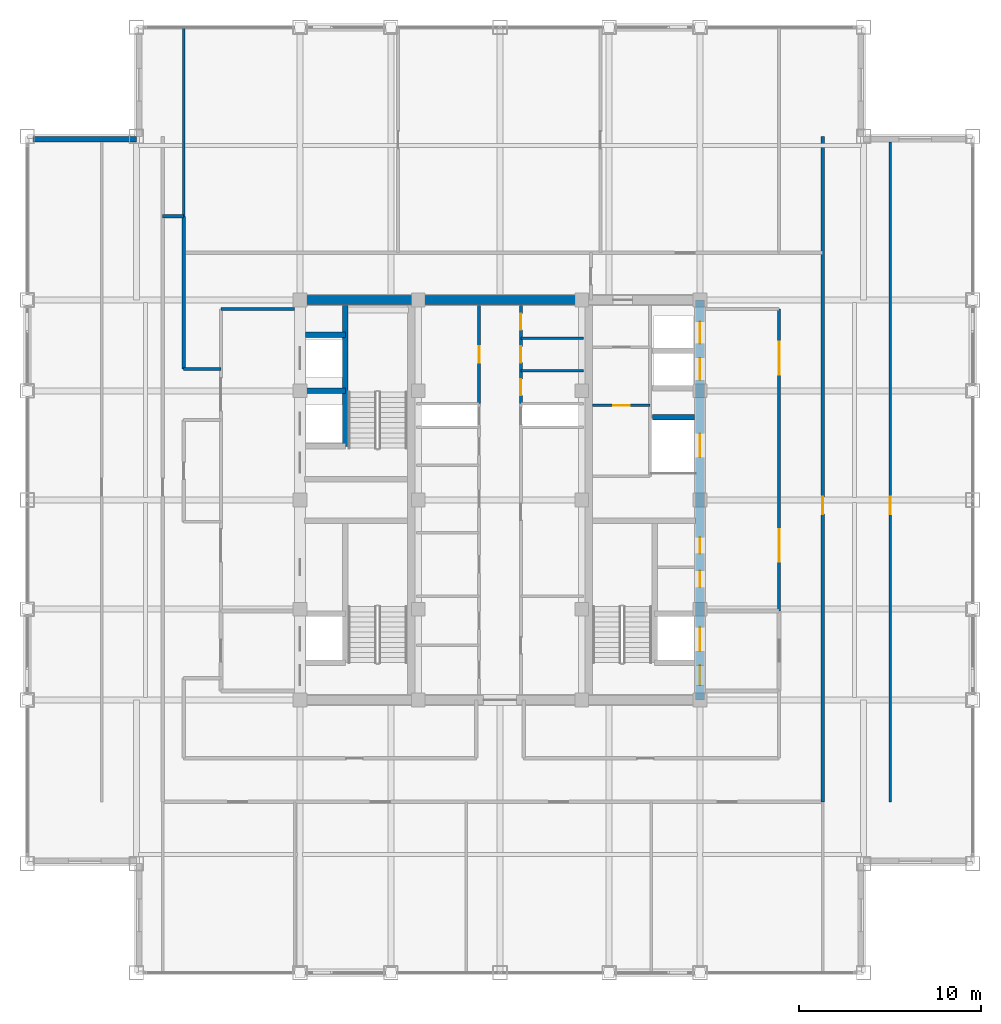
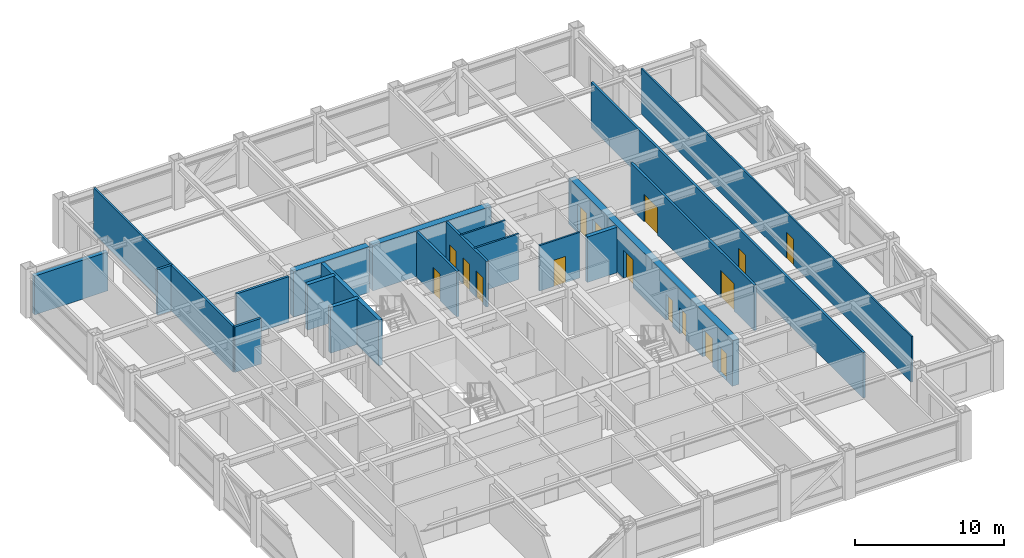
# One storey, part 26 of 28: 21 walls, 16 doors, 16 openings.
"""IFC4 building model written with IfcOpenShell, lengths in metres."""

import ifcopenshell
import ifcopenshell.guid

model = None  # the IFC model being written
_history = None  # IfcOwnerHistory: only IFC2X3 demands one
_inside = {}  # id of a spatial element -> (the spatial element, [elements in it])
_under = {}  # id of a project, library or spatial element -> (it, [spatial elements below it])
_declared = {}  # id of a project -> (the project, [libraries it declares])
_typed = {}  # id of a type object -> (the type object, [elements of that type])
_made_of = {}  # id of a material, layer set ... -> (it, [elements and type objects made of it])


def new_model(schema):
    """Start an empty IFC model of exactly this schema.

    Asked for "IFC4X3", IfcOpenShell would pick the latest addendum, in which some entities
    have other attributes; the version numbers below select the first issue.
    IFC2X3 requires an IfcOwnerHistory on every rooted entity: one is made here for all.
    """
    global model, _history
    if schema == "IFC4X3":
        model = ifcopenshell.file(schema_version=(4, 3, 0, 0))
    else:
        model = ifcopenshell.file(schema=schema)
    _inside.clear()
    _under.clear()
    _declared.clear()
    _typed.clear()
    _made_of.clear()
    _history = None
    if model.schema == "IFC2X3":
        org = make("IfcOrganization", Name="unknown")
        user = make(
            "IfcPersonAndOrganization",
            ThePerson=make("IfcPerson", FamilyName="unknown"),
            TheOrganization=org,
        )
        app = make(
            "IfcApplication",
            ApplicationDeveloper=org,
            Version="unknown",
            ApplicationFullName="unknown",
            ApplicationIdentifier="unknown",
        )
        _history = make(
            "IfcOwnerHistory",
            OwningUser=user,
            OwningApplication=app,
            ChangeAction="ADDED",
            CreationDate=0,
        )
    return model


def make(cls, **values):
    """One entity of the class cls with the attributes given. An attribute that is None is left unset."""
    return model.create_entity(
        cls, **{name: value for name, value in values.items() if value is not None}
    )


def rooted(cls, **values):
    """An entity with a GlobalId (a new one), such as an element, a storey or a relation."""
    return make(cls, GlobalId=ifcopenshell.guid.new(), OwnerHistory=_history, **values)


def si_unit(unit_type, name, prefix=None):
    """IfcSIUnit, for example si_unit("LENGTHUNIT", "METRE", prefix="MILLI")."""
    return make("IfcSIUnit", UnitType=unit_type, Prefix=prefix, Name=name)


def assignment(units):
    """IfcUnitAssignment: the units of a project."""
    return None if units is None else make("IfcUnitAssignment", Units=units)


def point(xyz):
    """IfcCartesianPoint."""
    return None if xyz is None else make("IfcCartesianPoint", Coordinates=xyz)


def direction(xyz):
    """IfcDirection."""
    return None if xyz is None else make("IfcDirection", DirectionRatios=xyz)


def frame(location, z_axis=None, x_axis=None):
    """IfcAxis2Placement3D, a coordinate frame: its origin and axes. An axis left out is left unset."""
    return make(
        "IfcAxis2Placement3D",
        Location=point(location),
        Axis=direction(z_axis),
        RefDirection=direction(x_axis),
    )


def frame_2d(location, x_axis=None):
    """IfcAxis2Placement2D, a coordinate frame in the plane: its origin and x axis."""
    return make(
        "IfcAxis2Placement2D", Location=point(location), RefDirection=direction(x_axis)
    )


def origin():
    """The frame at (0, 0, 0) with its axes left unset."""
    return frame((0.0, 0.0, 0.0))


def place(relative_to, where):
    """IfcLocalPlacement: puts the frame where relative to a parent placement (None: the world)."""
    return make(
        "IfcLocalPlacement", PlacementRelTo=relative_to, RelativePlacement=where
    )


def context(
    kind, dimensions, precision=None, world=None, true_north=None, identifier=None
):
    """IfcGeometricRepresentationContext, for example the 3D "Model" context."""
    return make(
        "IfcGeometricRepresentationContext",
        ContextIdentifier=identifier,
        ContextType=kind,
        CoordinateSpaceDimension=dimensions,
        Precision=precision,
        WorldCoordinateSystem=world,
        TrueNorth=true_north,
    )


def subcontext(parent, identifier, kind, view, scale=None):
    """IfcGeometricRepresentationSubContext, for example "Body" below "Model"."""
    return make(
        "IfcGeometricRepresentationSubContext",
        ContextIdentifier=identifier,
        ContextType=kind,
        ParentContext=parent,
        TargetScale=scale,
        TargetView=view,
    )


def project(units=None, contexts=None):
    """IfcProject with its units and contexts."""
    return rooted(
        "IfcProject",
        Name="project",
        RepresentationContexts=contexts,
        UnitsInContext=assignment(units),
    )


def spatial(cls, under=None, at=None, **own):
    """A site, building, storey or space (cls), placed at a placement, below another one or the project."""
    s = rooted(cls, ObjectPlacement=at, **own)
    if under is not None:
        _under.setdefault(under.id(), (under, []))[1].append(s)
    return s


def profile(cls, at=None, kind="AREA", **sizes):
    """A parametric profile (cls). Its sizes go by their IFC names, for example OverallWidth=200.0."""
    return make(cls, ProfileType=kind, Position=at, **sizes)


def rectangle(**sizes):
    """IfcRectangleProfileDef."""
    return profile("IfcRectangleProfileDef", **sizes)


def extrude(swept, where, along, depth):
    """IfcExtrudedAreaSolid: the profile swept, set in the frame where, extruded along a direction by depth."""
    return make(
        "IfcExtrudedAreaSolid",
        SweptArea=swept,
        Position=where,
        ExtrudedDirection=direction(along),
        Depth=depth,
    )


def shape(context_of_items, identifier, shape_type, items):
    """IfcShapeRepresentation: the items that make up one representation, for example the "Body"."""
    return make(
        "IfcShapeRepresentation",
        ContextOfItems=context_of_items,
        RepresentationIdentifier=identifier,
        RepresentationType=shape_type,
        Items=items,
    )


def source(mapping_origin, context_of_items, identifier, shape_type, items):
    """IfcRepresentationMap: a shape defined once, which mapped items show again and again."""
    return make(
        "IfcRepresentationMap",
        MappingOrigin=mapping_origin,
        MappedRepresentation=shape(context_of_items, identifier, shape_type, items),
    )


def transform(
    local_origin,
    x_axis=None,
    y_axis=None,
    z_axis=None,
    scale=None,
    scale2=None,
    scale3=None,
    uniform=True,
):
    """IfcCartesianTransformationOperator3D, or its non-uniform kind. x_axis, y_axis, z_axis: its Axis1, 2, 3."""
    if uniform:
        return make(
            "IfcCartesianTransformationOperator3D",
            Axis1=direction(x_axis),
            Axis2=direction(y_axis),
            LocalOrigin=point(local_origin),
            Scale=scale,
            Axis3=direction(z_axis),
        )
    return make(
        "IfcCartesianTransformationOperator3DnonUniform",
        Axis1=direction(x_axis),
        Axis2=direction(y_axis),
        LocalOrigin=point(local_origin),
        Scale=scale,
        Axis3=direction(z_axis),
        Scale2=scale2,
        Scale3=scale3,
    )


def mapped(mapping_source, mapping_target):
    """IfcMappedItem: shows the shape of a source again, moved by a transform."""
    return make(
        "IfcMappedItem", MappingSource=mapping_source, MappingTarget=mapping_target
    )


def material(Name=None, Category=None):
    """IfcMaterial."""
    return make("IfcMaterial", Name=Name, Category=Category)


def layer(
    of_material, thickness, ventilated=None, Name=None, Category=None, Priority=None
):
    """IfcMaterialLayer: one layer of a wall or slab, of a material (None: an air gap)."""
    return make(
        "IfcMaterialLayer",
        Material=of_material,
        LayerThickness=thickness,
        IsVentilated=ventilated,
        Name=Name,
        Category=Category,
        Priority=Priority,
    )


def layer_set(layers, Name=None):
    """IfcMaterialLayerSet."""
    return make("IfcMaterialLayerSet", MaterialLayers=layers, LayerSetName=Name)


def made_of(thing, what):
    """Note that an element or type object is made of a material, layer set ...; save() writes the relation."""
    if what is not None:
        _made_of.setdefault(what.id(), (what, []))[1].append(thing)
    return thing


def type_object(cls, material=None, **own):
    """A type object (cls), such as IfcWallType, which elements share."""
    return made_of(rooted(cls, **own), material)


def element(
    cls,
    number,
    at=None,
    inside=None,
    cuts=None,
    type_object=None,
    material=None,
    context=None,
    identifier="Body",
    shape_type=None,
    held_by="IfcProductDefinitionShape",
    body=None,
    shapes=None,
    **own,
):
    """One element of the class cls, such as IfcWall. Its Tag is "e" and its number.

    at: its placement. inside: the storey or other place that contains it. cuts: it is an
    opening in that element (IfcRelVoidsElement). A single representation is given by context,
    identifier, shape_type and body (its items); several are given by shapes. held_by: the class
    of the entity that holds the representations. save() writes the other relations.
    """
    e = rooted(cls, Tag="e%d" % number, ObjectPlacement=at, **own)
    if body is not None:
        shapes = [shape(context, identifier, shape_type, body)]
    if shapes is not None:
        e.Representation = make(held_by, Representations=shapes)
    if inside is not None:
        _inside.setdefault(inside.id(), (inside, []))[1].append(e)
    if cuts is not None:
        rooted(
            "IfcRelVoidsElement", RelatingBuildingElement=cuts, RelatedOpeningElement=e
        )
    if type_object is not None:
        _typed.setdefault(type_object.id(), (type_object, []))[1].append(e)
    return made_of(e, material)


def fill(opening, filler):
    """IfcRelFillsElement: the door or window that sits in an opening."""
    return rooted(
        "IfcRelFillsElement",
        RelatingOpeningElement=opening,
        RelatedBuildingElement=filler,
    )


def aggregate(whole, parts):
    """IfcRelAggregates: a whole, such as a stair, and the parts it consists of."""
    return rooted("IfcRelAggregates", RelatingObject=whole, RelatedObjects=parts)


def save(model, path):
    """Write the relations noted so far, then the file.

    IfcRelAggregates (storeys below a building ...), IfcRelContainedInSpatialStructure (elements
    in a storey), IfcRelDefinesByType, IfcRelAssociatesMaterial and IfcRelDeclares: one each for
    every whole, place, type object, material and project.
    """
    for whole, parts in _under.values():
        aggregate(whole, parts)
    for where, things in _inside.values():
        rooted(
            "IfcRelContainedInSpatialStructure",
            RelatedElements=things,
            RelatingStructure=where,
        )
    for kind, things in _typed.values():
        rooted("IfcRelDefinesByType", RelatedObjects=things, RelatingType=kind)
    for what, things in _made_of.values():
        rooted("IfcRelAssociatesMaterial", RelatedObjects=things, RelatingMaterial=what)
    for by, libraries in _declared.values():
        rooted("IfcRelDeclares", RelatingContext=by, RelatedDefinitions=libraries)
    model.write(path)


model = new_model("IFC4")

# Units and contexts
model_context = context("Model", 3, precision=1e-05, world=origin(), true_north=direction((0.0, 1.0)))
body_context = subcontext(model_context, "Body", "Model", "MODEL_VIEW")
ifc_project = project(units=[si_unit("LENGTHUNIT", "METRE"), si_unit("AREAUNIT", "SQUARE_METRE"), si_unit("VOLUMEUNIT", "CUBIC_METRE"), si_unit("PLANEANGLEUNIT", "RADIAN"), si_unit("MASSUNIT", "GRAM", prefix="KILO")], contexts=[model_context])

# Site, building, storey
site_placement = place(None, origin())
site = spatial("IfcSite", under=ifc_project, at=site_placement, CompositionType="ELEMENT")
building_placement = place(site_placement, origin())
building = spatial("IfcBuilding", under=site, at=building_placement, Name="Khorayat Bourse Tower", CompositionType="ELEMENT")
storey_placement = place(building_placement, frame((0.0, 0.0, 334.300048828125)))
storey = spatial("IfcBuildingStorey", under=building, at=storey_placement, Name="L79", CompositionType="ELEMENT", Elevation=334.300048828125)

# Wall, openings, doors
ifc_material_1 = material(Name="Concrete C52/65", Category="concrete")
ifc_layer_1 = layer(ifc_material_1, 0.5)
ifc_layer_set_1 = layer_set([ifc_layer_1], Name="Concrete C52/65")
wall_type_1 = type_object("IfcWallType", Name="WAL-CORE-500", PredefinedType="SHEAR", material=ifc_layer_set_1)
shared_shape_1 = source(origin(), body_context, "Body", "SweptSolid", [
    extrude(rectangle(XDim=22.0, YDim=0.5, at=frame_2d((11.0, 0.0))), origin(), (0.0, 0.0, 1.0), 3.739990234375),
])
wall_1_placement = place(storey_placement, frame((11.0, -11.0, 0.0), z_axis=(0.0, 0.0, 1.0), x_axis=(0.0, 1.0, 0.0)))
wall_1 = element("IfcWall", 1, at=wall_1_placement, inside=storey, type_object=wall_type_1, Name="L79 Core Shear Wall CORE-E", PredefinedType="SHEAR", context=body_context, shape_type="MappedRepresentation", body=[
    mapped(shared_shape_1, transform((0.0, 0.0, 0.0), scale=1.0)),
])
shared_shape_2 = source(origin(), body_context, "Body", "SweptSolid", [
    extrude(rectangle(XDim=1.10009765625, YDim=2.199951171875, at=frame_2d((0.550048828125, 1.10009765625))), frame((0.0, 0.260009765625, 0.0), z_axis=(0.0, -1.0, 0.0), x_axis=(1.0, 0.0, 0.0)), (0.0, 0.0, 1.0), 0.52001953125),
])
opening_1_placement = place(wall_1_placement, frame((0.800048828125, 0.0, 0.0)))
opening_1 = element("IfcOpeningElement", 2, at=opening_1_placement, cuts=wall_1, Name="Opening DI-01", PredefinedType="OPENING", context=body_context, shape_type="MappedRepresentation", body=[
    mapped(shared_shape_2, transform((0.0, 0.0, 0.0), scale=1.0)),
])
shared_shape_3 = source(origin(), body_context, "Body", "SweptSolid", [
    extrude(rectangle(XDim=0.89990234375, YDim=2.14990234375, at=frame_2d((0.449951171875, 1.074951171875))), frame((0.0, 0.260009765625, 0.0), z_axis=(0.0, -1.0, 0.0), x_axis=(1.0, 0.0, 0.0)), (0.0, 0.0, 1.0), 0.52001953125),
])
opening_2_placement = place(wall_1_placement, frame((6.199951171875, 0.0, 0.0)))
opening_2 = element("IfcOpeningElement", 3, at=opening_2_placement, cuts=wall_1, Name="Opening DI-06", PredefinedType="OPENING", context=body_context, shape_type="MappedRepresentation", body=[
    mapped(shared_shape_3, transform((0.0, 0.0, 0.0), scale=1.0)),
])
opening_3_placement = place(wall_1_placement, frame((8.050048828125, 0.0, 0.0)))
opening_3 = element("IfcOpeningElement", 4, at=opening_3_placement, cuts=wall_1, Name="Opening DI-06", PredefinedType="OPENING", context=body_context, shape_type="MappedRepresentation", body=[
    mapped(shared_shape_3, transform((0.0, 0.0, 0.0), scale=1.0)),
])
shared_shape_4 = source(origin(), body_context, "Body", "SweptSolid", [
    extrude(rectangle(XDim=1.199951171875, YDim=2.300048828125, at=frame_2d((0.60009765625, 1.14990234375))), frame((0.0, 0.260009765625, 0.0), z_axis=(0.0, -1.0, 0.0), x_axis=(1.0, 0.0, 0.0)), (0.0, 0.0, 1.0), 0.52001953125),
])
opening_4_placement = place(wall_1_placement, frame((17.60009765625, 0.0, 0.0)))
opening_4 = element("IfcOpeningElement", 5, at=opening_4_placement, cuts=wall_1, Name="Opening LD-01", PredefinedType="OPENING", context=body_context, shape_type="MappedRepresentation", body=[
    mapped(shared_shape_4, transform((0.0, 0.0, 0.0), scale=1.0)),
])
opening_5_placement = place(wall_1_placement, frame((19.60009765625, 0.0, 0.0)))
opening_5 = element("IfcOpeningElement", 6, at=opening_5_placement, cuts=wall_1, Name="Opening LD-01", PredefinedType="OPENING", context=body_context, shape_type="MappedRepresentation", body=[
    mapped(shared_shape_4, transform((0.0, 0.0, 0.0), scale=1.0)),
])
shared_shape_5 = source(origin(), body_context, "Body", "SweptSolid", [
    extrude(rectangle(XDim=1.300048828125, YDim=2.300048828125, at=frame_2d((0.64990234375, 1.14990234375))), frame((0.0, 0.260009765625, 0.0), z_axis=(0.0, -1.0, 0.0), x_axis=(1.0, 0.0, 0.0)), (0.0, 0.0, 1.0), 0.52001953125),
])
opening_6_placement = place(wall_1_placement, frame((2.699951171875, 0.0, 0.0)))
opening_6 = element("IfcOpeningElement", 7, at=opening_6_placement, cuts=wall_1, Name="Opening LD-02", PredefinedType="OPENING", context=body_context, shape_type="MappedRepresentation", body=[
    mapped(shared_shape_5, transform((0.0, 0.0, 0.0), scale=1.0)),
])
opening_7_placement = place(wall_1_placement, frame((13.35009765625, 0.0, 0.0)))
opening_7 = element("IfcOpeningElement", 8, at=opening_7_placement, cuts=wall_1, Name="Opening LD-02", PredefinedType="OPENING", context=body_context, shape_type="MappedRepresentation", body=[
    mapped(shared_shape_5, transform((0.0, 0.0, 0.0), scale=1.0)),
])
ifc_material_2 = material(Name="Fire-rated steel acoustic leaf", Category="steel")
door_type_1 = type_object("IfcDoorType", Name="DR-INT-STAIR-1100", OperationType="NOTDEFINED", PredefinedType="DOOR", material=ifc_material_2)
shared_shape_6 = source(origin(), body_context, "Body", "SweptSolid", [
    extrude(rectangle(XDim=1.10009765625, YDim=2.199951171875, at=frame_2d((0.550048828125, 1.10009765625))), frame((0.0, 0.02490234375, 0.0), z_axis=(0.0, -1.0, 0.0), x_axis=(1.0, 0.0, 0.0)), (0.0, 0.0, 1.0), 0.050048828125),
])
door_1_placement = place(opening_1_placement, origin())
door_1 = element("IfcDoor", 9, at=door_1_placement, inside=storey, type_object=door_type_1, Name="L79 Exit Stair 3 Door", OperationType="SINGLE_SWING_LEFT", OverallHeight=2.199951171875, OverallWidth=1.10009765625, PredefinedType="DOOR", context=body_context, shape_type="MappedRepresentation", body=[
    mapped(shared_shape_6, transform((0.0, 0.0, 0.0), scale=1.0)),
])
fill(opening_1, door_1)
ifc_material_3 = material(Name="Moisture-resistant laminate washroom door")
door_type_2 = type_object("IfcDoorType", Name="DR-INT-WC-900", OperationType="NOTDEFINED", PredefinedType="DOOR", material=ifc_material_3)
shared_shape_7 = source(origin(), body_context, "Body", "SweptSolid", [
    extrude(rectangle(XDim=0.89990234375, YDim=2.14990234375, at=frame_2d((0.449951171875, 1.074951171875))), frame((0.0, 0.02490234375, 0.0), z_axis=(0.0, -1.0, 0.0), x_axis=(1.0, 0.0, 0.0)), (0.0, 0.0, 1.0), 0.050048828125),
])
door_2_placement = place(opening_2_placement, origin())
door_2 = element("IfcDoor", 10, at=door_2_placement, inside=storey, type_object=door_type_2, Name="L79 Comms Closet Door", OperationType="SINGLE_SWING_LEFT", OverallHeight=2.14990234375, OverallWidth=0.89990234375, PredefinedType="DOOR", context=body_context, shape_type="MappedRepresentation", body=[
    mapped(shared_shape_7, transform((0.0, 0.0, 0.0), scale=1.0)),
])
fill(opening_2, door_2)
door_3_placement = place(opening_3_placement, origin())
door_3 = element("IfcDoor", 11, at=door_3_placement, inside=storey, type_object=door_type_2, Name="L79 Cleaner Store Door", OperationType="SINGLE_SWING_RIGHT", OverallHeight=2.14990234375, OverallWidth=0.89990234375, PredefinedType="DOOR", context=body_context, shape_type="MappedRepresentation", body=[
    mapped(shared_shape_7, transform((0.0, 0.0, 0.0), scale=1.0)),
])
fill(opening_3, door_3)
ifc_material_4 = material(Name="Brushed bronze stainless-steel sliding door", Category="steel")
door_type_3 = type_object("IfcDoorType", Name="DR-LIFT-PASS-1200", OperationType="NOTDEFINED", PredefinedType="DOOR", material=ifc_material_4)
shared_shape_8 = source(origin(), body_context, "Body", "SweptSolid", [
    extrude(rectangle(XDim=1.199951171875, YDim=2.300048828125, at=frame_2d((0.60009765625, 1.14990234375))), frame((0.0, 0.02490234375, 0.0), z_axis=(0.0, -1.0, 0.0), x_axis=(1.0, 0.0, 0.0)), (0.0, 0.0, 1.0), 0.050048828125),
])
door_4_placement = place(opening_4_placement, origin())
door_4 = element("IfcDoor", 12, at=door_4_placement, inside=storey, type_object=door_type_3, Name="L79 Lift PL-H3 Sliding Landing Door", OperationType="SLIDING_TO_LEFT", OverallHeight=2.300048828125, OverallWidth=1.199951171875, PredefinedType="DOOR", context=body_context, shape_type="MappedRepresentation", body=[
    mapped(shared_shape_8, transform((0.0, 0.0, 0.0), scale=1.0)),
])
fill(opening_4, door_4)
door_5_placement = place(opening_5_placement, origin())
door_5 = element("IfcDoor", 13, at=door_5_placement, inside=storey, type_object=door_type_3, Name="L79 Lift PL-H4 Sliding Landing Door", OperationType="SLIDING_TO_LEFT", OverallHeight=2.300048828125, OverallWidth=1.199951171875, PredefinedType="DOOR", context=body_context, shape_type="MappedRepresentation", body=[
    mapped(shared_shape_8, transform((0.0, 0.0, 0.0), scale=1.0)),
])
fill(opening_5, door_5)
ifc_material_5 = material(Name="Fire-rated stainless-steel sliding landing door", Category="steel")
door_type_4 = type_object("IfcDoorType", Name="DR-LIFT-FF-1300", OperationType="NOTDEFINED", PredefinedType="DOOR", material=ifc_material_5)
shared_shape_9 = source(origin(), body_context, "Body", "SweptSolid", [
    extrude(rectangle(XDim=1.300048828125, YDim=2.300048828125, at=frame_2d((0.64990234375, 1.14990234375))), frame((0.0, 0.02490234375, 0.0), z_axis=(0.0, -1.0, 0.0), x_axis=(1.0, 0.0, 0.0)), (0.0, 0.0, 1.0), 0.050048828125),
])
door_6_placement = place(opening_6_placement, origin())
door_6 = element("IfcDoor", 14, at=door_6_placement, inside=storey, type_object=door_type_4, Name="L79 Lift FFL-02 Sliding Landing Door", OperationType="SLIDING_TO_LEFT", OverallHeight=2.300048828125, OverallWidth=1.300048828125, PredefinedType="DOOR", context=body_context, shape_type="MappedRepresentation", body=[
    mapped(shared_shape_9, transform((0.0, 0.0, 0.0), scale=1.0)),
])
fill(opening_6, door_6)
door_7_placement = place(opening_7_placement, origin())
door_7 = element("IfcDoor", 15, at=door_7_placement, inside=storey, type_object=door_type_4, Name="L79 Lift SVL-01 Sliding Landing Door", OperationType="SLIDING_TO_LEFT", OverallHeight=2.300048828125, OverallWidth=1.300048828125, PredefinedType="DOOR", context=body_context, shape_type="MappedRepresentation", body=[
    mapped(shared_shape_9, transform((0.0, 0.0, 0.0), scale=1.0)),
])
fill(opening_7, door_7)

# Walls
shared_shape_10 = source(origin(), body_context, "Body", "SweptSolid", [
    extrude(rectangle(XDim=5.89990234375, YDim=0.5, at=frame_2d((2.949951171875, 0.0))), origin(), (0.0, 0.0, 1.0), 3.739990234375),
])
wall_2_placement = place(storey_placement, frame((-10.75, 11.0, 0.0), z_axis=(0.0, 0.0, 1.0), x_axis=(1.0, 0.0, 0.0)))
element("IfcWall", 16, at=wall_2_placement, inside=storey, type_object=wall_type_1, Name="L79 Core Shear Wall PIER-WN", PredefinedType="SHEAR", context=body_context, shape_type="MappedRepresentation", body=[
    mapped(shared_shape_10, transform((0.0, 0.0, 0.0), scale=1.0)),
])
shared_shape_11 = source(origin(), body_context, "Body", "SweptSolid", [
    extrude(rectangle(XDim=9.2001953125, YDim=0.5, at=frame_2d((4.60009765625, 0.0))), origin(), (0.0, 0.0, 1.0), 3.739990234375),
])
wall_3_placement = place(storey_placement, frame((-4.60009765625, 11.0, 0.0), z_axis=(0.0, 0.0, 1.0), x_axis=(1.0, 0.0, 0.0)))
element("IfcWall", 17, at=wall_3_placement, inside=storey, type_object=wall_type_1, Name="L79 Core Shear Wall CORE-N", PredefinedType="SHEAR", context=body_context, shape_type="MappedRepresentation", body=[
    mapped(shared_shape_11, transform((0.0, 0.0, 0.0), scale=1.0)),
])
ifc_material_6 = material(Name="Precast concrete C45/55", Category="concrete")
ifc_layer_2 = layer(ifc_material_6, 0.320068359375)
ifc_layer_set_2 = layer_set([ifc_layer_2], Name="Precast concrete C45/55")
wall_type_2 = type_object("IfcWallType", Name="WAL-EXT-STONE-320", PredefinedType="STANDARD", material=ifc_layer_set_2)
shared_shape_12 = source(origin(), body_context, "Body", "SweptSolid", [
    extrude(rectangle(XDim=5.679931640625, YDim=0.320068359375, at=frame_2d((2.83984375, 0.0))), origin(), (0.0, 0.0, 1.0), 3.19091796875),
])
wall_4_placement = place(storey_placement, frame((-20.0, 19.840087890625, 0.0), z_axis=(0.0, 0.0, 1.0), x_axis=(-1.0, 0.0, 0.0)))
element("IfcWall", 18, at=wall_4_placement, inside=storey, type_object=wall_type_2, Name="L79 Re-Entrant Notch Limestone Wall NW-H", PredefinedType="STANDARD", context=body_context, shape_type="MappedRepresentation", body=[
    mapped(shared_shape_12, transform((0.0, 0.0, 0.0), scale=1.0)),
])
ifc_material_7 = material(Name="Concrete C50/60", Category="concrete")
ifc_layer_3 = layer(ifc_material_7, 0.300048828125)
ifc_layer_set_3 = layer_set([ifc_layer_3], Name="Concrete C50/60")
wall_type_3 = type_object("IfcWallType", Name="WAL-SHAFT-300", PredefinedType="SHEAR", material=ifc_layer_set_3)
shared_shape_13 = source(origin(), body_context, "Body", "SweptSolid", [
    extrude(rectangle(XDim=2.199951171875, YDim=0.300048828125, at=frame_2d((1.10009765625, 0.0))), origin(), (0.0, 0.0, 1.0), 3.739990234375),
])
for number, where, z_axis, x_axis, name in (
    (19, (-10.699951171875, 6.0, 0.0), (0.0, 0.0, 1.0), (1.0, 0.0, 0.0), "L79 Partition WAL-L79-WPIER-H12"),
    (20, (-10.699951171875, 9.10009765625, 0.0), (0.0, 0.0, 1.0), (1.0, 0.0, 0.0), "L79 Partition WAL-L79-WPIER-H2N"),
):
    element("IfcWall", number, at=place(storey_placement, frame(where, z_axis=z_axis, x_axis=x_axis)), inside=storey, type_object=wall_type_3, Name=name, PredefinedType="SHEAR", context=body_context, shape_type="MappedRepresentation", body=[
        mapped(shared_shape_13, transform((0.0, 0.0, 0.0), scale=1.0)),
    ])
shared_shape_14 = source(origin(), body_context, "Body", "SweptSolid", [
    extrude(rectangle(XDim=7.75, YDim=0.300048828125, at=frame_2d((3.875, 0.0))), origin(), (0.0, 0.0, 1.0), 3.739990234375),
])
wall_5_placement = place(storey_placement, frame((-8.5, 2.949951171875, 0.0), z_axis=(0.0, 0.0, 1.0), x_axis=(0.0, 1.0, 0.0)))
element("IfcWall", 21, at=wall_5_placement, inside=storey, type_object=wall_type_3, Name="L79 Partition WAL-L79-WPIER-ST2S", PredefinedType="SHEAR", context=body_context, shape_type="MappedRepresentation", body=[
    mapped(shared_shape_14, transform((0.0, 0.0, 0.0), scale=1.0)),
])
shared_shape_15 = source(origin(), body_context, "Body", "SweptSolid", [
    extrude(rectangle(XDim=2.300048828125, YDim=0.300048828125, at=frame_2d((1.14990234375, 0.0))), origin(), (0.0, 0.0, 1.0), 3.739990234375),
])
wall_6_placement = place(storey_placement, frame((8.39990234375, 4.550048828125, 0.0), z_axis=(0.0, 0.0, 1.0), x_axis=(1.0, 0.0, 0.0)))
element("IfcWall", 22, at=wall_6_placement, inside=storey, type_object=wall_type_3, Name="L79 Partition WAL-L79-EPIER-SVLN", PredefinedType="SHEAR", context=body_context, shape_type="MappedRepresentation", body=[
    mapped(shared_shape_15, transform((0.0, 0.0, 0.0), scale=1.0)),
])

# Wall, opening, door
ifc_material_8 = material(Name="Moisture-resistant masonry partition", Category="masonry")
ifc_layer_4 = layer(ifc_material_8, 0.139892578125)
ifc_layer_set_4 = layer_set([ifc_layer_4], Name="Moisture-resistant masonry partition")
wall_type_4 = type_object("IfcWallType", Name="WAL-PART-WET-140", PredefinedType="PARTITIONING", material=ifc_layer_set_4)
shared_shape_16 = source(origin(), body_context, "Body", "SweptSolid", [
    extrude(rectangle(XDim=3.14990234375, YDim=0.139892578125, at=frame_2d((1.574951171875, 0.0))), origin(), (0.0, 0.0, 1.0), 3.739990234375),
])
wall_7_placement = place(storey_placement, frame((5.10009765625, 5.199951171875, 0.0), z_axis=(0.0, 0.0, 1.0), x_axis=(1.0, 0.0, 0.0)))
wall_7 = element("IfcWall", 23, at=wall_7_placement, inside=storey, type_object=wall_type_4, Name="L79 Partition WAL-L79-ECW-HZ", PredefinedType="PARTITIONING", context=body_context, shape_type="MappedRepresentation", body=[
    mapped(shared_shape_16, transform((0.0, 0.0, 0.0), scale=1.0)),
])
shared_shape_17 = source(origin(), body_context, "Body", "SweptSolid", [
    extrude(rectangle(XDim=0.89990234375, YDim=2.14990234375, at=frame_2d((0.449951171875, 1.074951171875))), frame((0.0, 0.079833984375, 0.0), z_axis=(0.0, -1.0, 0.0), x_axis=(1.0, 0.0, 0.0)), (0.0, 0.0, 1.0), 0.159912109375),
])
opening_8_placement = place(wall_7_placement, frame((1.1298828125, 0.0, 0.0)))
opening_8 = element("IfcOpeningElement", 24, at=opening_8_placement, cuts=wall_7, Name="Opening DI-06", PredefinedType="OPENING", context=body_context, shape_type="MappedRepresentation", body=[
    mapped(shared_shape_17, transform((0.0, 0.0, 0.0), scale=1.0)),
])
door_8_placement = place(opening_8_placement, origin())
door_8 = element("IfcDoor", 25, at=door_8_placement, inside=storey, type_object=door_type_2, Name="L79 Shared Washroom Door", OperationType="SINGLE_SWING_RIGHT", OverallHeight=2.14990234375, OverallWidth=0.89990234375, PredefinedType="DOOR", context=body_context, shape_type="MappedRepresentation", body=[
    mapped(shared_shape_7, transform((0.0, 0.0, 0.0), scale=1.0)),
])
fill(opening_8, door_8)

# Wall
ifc_material_9 = material(Name="Gypsum plasterboard acoustic stud wall")
ifc_layer_5 = layer(ifc_material_9, 0.179931640625)
ifc_layer_set_5 = layer_set([ifc_layer_5], Name="Gypsum plasterboard acoustic stud wall")
wall_type_5 = type_object("IfcWallType", Name="WAL-PART-CORR-180", PredefinedType="PARTITIONING", material=ifc_layer_set_5)
shared_shape_18 = source(origin(), body_context, "Body", "SweptSolid", [
    extrude(rectangle(XDim=4.050048828125, YDim=0.179931640625, at=frame_2d((2.02490234375, 0.0))), origin(), (0.0, 0.0, 1.0), 3.739990234375),
])
wall_8_placement = place(storey_placement, frame((-15.35009765625, 10.5, 0.0), z_axis=(0.0, 0.0, 1.0), x_axis=(1.0, 0.0, 0.0)))
element("IfcWall", 26, at=wall_8_placement, inside=storey, type_object=wall_type_5, Name="L79 Partition WAL-L79-WLOB-N", PredefinedType="PARTITIONING", context=body_context, shape_type="MappedRepresentation", body=[
    mapped(shared_shape_18, transform((0.0, 0.0, 0.0), scale=1.0)),
])

# Wall, openings, doors
shared_shape_19 = source(origin(), body_context, "Body", "SweptSolid", [
    extrude(rectangle(XDim=16.60009765625, YDim=0.179931640625, at=frame_2d((8.300048828125, 0.0))), origin(), (0.0, 0.0, 1.0), 3.739990234375),
])
wall_9_placement = place(storey_placement, frame((15.35009765625, -6.10009765625, 0.0), z_axis=(0.0, 0.0, 1.0), x_axis=(0.0, 1.0, 0.0)))
wall_9 = element("IfcWall", 27, at=wall_9_placement, inside=storey, type_object=wall_type_5, Name="L79 Partition WAL-L79-ELOB-E", PredefinedType="PARTITIONING", context=body_context, shape_type="MappedRepresentation", body=[
    mapped(shared_shape_19, transform((0.0, 0.0, 0.0), scale=1.0)),
])
shared_shape_20 = source(origin(), body_context, "Body", "SweptSolid", [
    extrude(rectangle(XDim=1.800048828125, YDim=2.25, at=frame_2d((0.89990234375, 1.125))), frame((0.0, 0.099853515625, 0.0), z_axis=(0.0, -1.0, 0.0), x_axis=(1.0, 0.0, 0.0)), (0.0, 0.0, 1.0), 0.199951171875),
])
opening_9_placement = place(wall_9_placement, frame((2.699951171875, 0.0, 0.0)))
opening_9 = element("IfcOpeningElement", 28, at=opening_9_placement, cuts=wall_9, Name="Opening DI-03", PredefinedType="OPENING", context=body_context, shape_type="MappedRepresentation", body=[
    mapped(shared_shape_20, transform((0.0, 0.0, 0.0), scale=1.0)),
])
opening_10_placement = place(wall_9_placement, frame((13.0, 0.0, 0.0)))
opening_10 = element("IfcOpeningElement", 29, at=opening_10_placement, cuts=wall_9, Name="Opening DI-03", PredefinedType="OPENING", context=body_context, shape_type="MappedRepresentation", body=[
    mapped(shared_shape_20, transform((0.0, 0.0, 0.0), scale=1.0)),
])
ifc_material_10 = material(Name="Fire-rated hardwood vision-panel double leaf", Category="wood")
door_type_5 = type_object("IfcDoorType", Name="DR-INT-CORR-1800", OperationType="NOTDEFINED", PredefinedType="DOOR", material=ifc_material_10)
shared_shape_21 = source(origin(), body_context, "Body", "SweptSolid", [
    extrude(rectangle(XDim=1.800048828125, YDim=2.25, at=frame_2d((0.89990234375, 1.125))), frame((0.0, 0.02490234375, 0.0), z_axis=(0.0, -1.0, 0.0), x_axis=(1.0, 0.0, 0.0)), (0.0, 0.0, 1.0), 0.050048828125),
])
door_9_placement = place(opening_9_placement, origin())
door_9 = element("IfcDoor", 30, at=door_9_placement, inside=storey, type_object=door_type_5, Name="L79 East Core Lobby South Door", OperationType="SINGLE_SWING_RIGHT", OverallHeight=2.25, OverallWidth=1.800048828125, PredefinedType="DOOR", context=body_context, shape_type="MappedRepresentation", body=[
    mapped(shared_shape_21, transform((0.0, 0.0, 0.0), scale=1.0)),
])
fill(opening_9, door_9)
door_10_placement = place(opening_10_placement, origin())
door_10 = element("IfcDoor", 31, at=door_10_placement, inside=storey, type_object=door_type_5, Name="L79 East Core Lobby North Door", OperationType="SINGLE_SWING_LEFT", OverallHeight=2.25, OverallWidth=1.800048828125, PredefinedType="DOOR", context=body_context, shape_type="MappedRepresentation", body=[
    mapped(shared_shape_21, transform((0.0, 0.0, 0.0), scale=1.0)),
])
fill(opening_10, door_10)

# Walls
shared_shape_22 = source(origin(), body_context, "Body", "SweptSolid", [
    extrude(rectangle(XDim=3.4501953125, YDim=0.139892578125, at=frame_2d((1.72509765625, 0.0))), origin(), (0.0, 0.0, 1.0), 3.739990234375),
])
for number, where, z_axis, x_axis, name in (
    (32, (1.14990234375, 7.10009765625, 0.0), (0.0, 0.0, 1.0), (1.0, 0.0, 0.0), "L79 Partition WAL-L79-FB2E-D1"),
    (33, (1.14990234375, 8.89990234375, 0.0), (0.0, 0.0, 1.0), (1.0, 0.0, 0.0), "L79 Partition WAL-L79-FB2E-D2"),
):
    element("IfcWall", number, at=place(storey_placement, frame(where, z_axis=z_axis, x_axis=x_axis)), inside=storey, type_object=wall_type_4, Name=name, PredefinedType="PARTITIONING", context=body_context, shape_type="MappedRepresentation", body=[
        mapped(shared_shape_22, transform((0.0, 0.0, 0.0), scale=1.0)),
    ])

# Wall, opening, door
shared_shape_23 = source(origin(), body_context, "Body", "SweptSolid", [
    extrude(rectangle(XDim=5.39990234375, YDim=0.179931640625, at=frame_2d((2.699951171875, 0.0))), origin(), (0.0, 0.0, 1.0), 3.739990234375),
])
wall_10_placement = place(storey_placement, frame((-1.14990234375, 5.300048828125, 0.0), z_axis=(0.0, 0.0, 1.0), x_axis=(0.0, 1.0, 0.0)))
wall_10 = element("IfcWall", 34, at=wall_10_placement, inside=storey, type_object=wall_type_5, Name="L79 Partition WAL-L79-FB2W-L", PredefinedType="PARTITIONING", context=body_context, shape_type="MappedRepresentation", body=[
    mapped(shared_shape_23, transform((0.0, 0.0, 0.0), scale=1.0)),
])
shared_shape_24 = source(origin(), body_context, "Body", "SweptSolid", [
    extrude(rectangle(XDim=0.89990234375, YDim=2.14990234375, at=frame_2d((0.449951171875, 1.074951171875))), frame((0.0, 0.099853515625, 0.0), z_axis=(0.0, -1.0, 0.0), x_axis=(1.0, 0.0, 0.0)), (0.0, 0.0, 1.0), 0.199951171875),
])
opening_11_placement = place(wall_10_placement, frame((2.25, 0.0, 0.0)))
opening_11 = element("IfcOpeningElement", 35, at=opening_11_placement, cuts=wall_10, Name="Opening DI-06", PredefinedType="OPENING", context=body_context, shape_type="MappedRepresentation", body=[
    mapped(shared_shape_24, transform((0.0, 0.0, 0.0), scale=1.0)),
])
door_11_placement = place(opening_11_placement, origin())
door_11 = element("IfcDoor", 36, at=door_11_placement, inside=storey, type_object=door_type_2, Name="L79 Executive Archive Vault Door", OperationType="SINGLE_SWING_RIGHT", OverallHeight=2.14990234375, OverallWidth=0.89990234375, PredefinedType="DOOR", context=body_context, shape_type="MappedRepresentation", body=[
    mapped(shared_shape_7, transform((0.0, 0.0, 0.0), scale=1.0)),
])
fill(opening_11, door_11)

# Wall, openings, doors
wall_11_placement = place(storey_placement, frame((1.14990234375, 5.300048828125, 0.0), z_axis=(0.0, 0.0, 1.0), x_axis=(0.0, 1.0, 0.0)))
wall_11 = element("IfcWall", 37, at=wall_11_placement, inside=storey, type_object=wall_type_5, Name="L79 Partition WAL-L79-FB2E-L", PredefinedType="PARTITIONING", context=body_context, shape_type="MappedRepresentation", body=[
    mapped(shared_shape_23, transform((0.0, 0.0, 0.0), scale=1.0)),
])
opening_12_placement = place(wall_11_placement, frame((0.449951171875, 0.0, 0.0)))
opening_12 = element("IfcOpeningElement", 38, at=opening_12_placement, cuts=wall_11, Name="Opening DI-06", PredefinedType="OPENING", context=body_context, shape_type="MappedRepresentation", body=[
    mapped(shared_shape_24, transform((0.0, 0.0, 0.0), scale=1.0)),
])
opening_13_placement = place(wall_11_placement, frame((2.25, 0.0, 0.0)))
opening_13 = element("IfcOpeningElement", 39, at=opening_13_placement, cuts=wall_11, Name="Opening DI-06", PredefinedType="OPENING", context=body_context, shape_type="MappedRepresentation", body=[
    mapped(shared_shape_24, transform((0.0, 0.0, 0.0), scale=1.0)),
])
opening_14_placement = place(wall_11_placement, frame((4.050048828125, 0.0, 0.0)))
opening_14 = element("IfcOpeningElement", 40, at=opening_14_placement, cuts=wall_11, Name="Opening DI-06", PredefinedType="OPENING", context=body_context, shape_type="MappedRepresentation", body=[
    mapped(shared_shape_24, transform((0.0, 0.0, 0.0), scale=1.0)),
])
door_12_placement = place(opening_12_placement, origin())
door_12 = element("IfcDoor", 41, at=door_12_placement, inside=storey, type_object=door_type_2, Name="L79 Facility Store A Door", OperationType="SINGLE_SWING_RIGHT", OverallHeight=2.14990234375, OverallWidth=0.89990234375, PredefinedType="DOOR", context=body_context, shape_type="MappedRepresentation", body=[
    mapped(shared_shape_7, transform((0.0, 0.0, 0.0), scale=1.0)),
])
fill(opening_12, door_12)
door_13_placement = place(opening_13_placement, origin())
door_13 = element("IfcDoor", 42, at=door_13_placement, inside=storey, type_object=door_type_2, Name="L79 BMS Closet Door", OperationType="SINGLE_SWING_LEFT", OverallHeight=2.14990234375, OverallWidth=0.89990234375, PredefinedType="DOOR", context=body_context, shape_type="MappedRepresentation", body=[
    mapped(shared_shape_7, transform((0.0, 0.0, 0.0), scale=1.0)),
])
fill(opening_13, door_13)
door_14_placement = place(opening_14_placement, origin())
door_14 = element("IfcDoor", 43, at=door_14_placement, inside=storey, type_object=door_type_2, Name="L79 Facility Store B Door", OperationType="SINGLE_SWING_RIGHT", OverallHeight=2.14990234375, OverallWidth=0.89990234375, PredefinedType="DOOR", context=body_context, shape_type="MappedRepresentation", body=[
    mapped(shared_shape_7, transform((0.0, 0.0, 0.0), scale=1.0)),
])
fill(opening_14, door_14)

# Walls
shared_shape_25 = source(origin(), body_context, "Body", "SweptSolid", [
    extrude(rectangle(XDim=2.0498046875, YDim=0.179931640625, at=frame_2d((1.02490234375, 0.0))), origin(), (0.0, 0.0, 1.0), 3.739990234375),
])
wall_12_placement = place(storey_placement, frame((-17.39990234375, 7.199951171875, 0.0), z_axis=(0.0, 0.0, 1.0), x_axis=(1.0, 0.0, 0.0)))
element("IfcWall", 44, at=wall_12_placement, inside=storey, type_object=wall_type_5, Name="L79 Partition WAL-L79-THRWN-T", PredefinedType="PARTITIONING", context=body_context, shape_type="MappedRepresentation", body=[
    mapped(shared_shape_25, transform((0.0, 0.0, 0.0), scale=1.0)),
])
shared_shape_26 = source(origin(), body_context, "Body", "SweptSolid", [
    extrude(rectangle(XDim=8.400146484375, YDim=0.179931640625, at=frame_2d((4.2001953125, 0.0))), origin(), (0.0, 0.0, 1.0), 3.739990234375),
])
wall_13_placement = place(storey_placement, frame((-17.39990234375, 7.199951171875, 0.0), z_axis=(0.0, 0.0, 1.0), x_axis=(0.0, 1.0, 0.0)))
element("IfcWall", 45, at=wall_13_placement, inside=storey, type_object=wall_type_5, Name="L79 Partition WAL-L79-THRWN-N", PredefinedType="PARTITIONING", context=body_context, shape_type="MappedRepresentation", body=[
    mapped(shared_shape_26, transform((0.0, 0.0, 0.0), scale=1.0)),
])
shared_shape_27 = source(origin(), body_context, "Body", "SweptSolid", [
    extrude(rectangle(XDim=1.150146484375, YDim=0.179931640625, at=frame_2d((0.5751953125, 0.0))), origin(), (0.0, 0.0, 1.0), 3.739990234375),
])
wall_14_placement = place(storey_placement, frame((-18.550048828125, 15.60009765625, 0.0), z_axis=(0.0, 0.0, 1.0), x_axis=(1.0, 0.0, 0.0)))
element("IfcWall", 46, at=wall_14_placement, inside=storey, type_object=wall_type_5, Name="L79 Partition WAL-L79-GALW-N", PredefinedType="PARTITIONING", context=body_context, shape_type="MappedRepresentation", body=[
    mapped(shared_shape_27, transform((0.0, 0.0, 0.0), scale=1.0)),
])

# Wall, opening, door
ifc_material_11 = material(Name="Gypsum plasterboard partition")
ifc_layer_6 = layer(ifc_material_11, 0.125)
ifc_layer_set_6 = layer_set([ifc_layer_6], Name="Gypsum plasterboard partition")
wall_type_6 = type_object("IfcWallType", Name="WAL-PART-ROOM-125", PredefinedType="PARTITIONING", material=ifc_layer_set_6)
shared_shape_28 = source(origin(), body_context, "Body", "SweptSolid", [
    extrude(rectangle(XDim=36.300048828125, YDim=0.125, at=frame_2d((18.14990234375, 0.0))), origin(), (0.0, 0.0, 1.0), 3.739990234375),
])
wall_15_placement = place(storey_placement, frame((21.46240234375, -16.60009765625, 0.0), z_axis=(0.0, 0.0, 1.0), x_axis=(0.0, 1.0, 0.0)))
wall_15 = element("IfcWall", 47, at=wall_15_placement, inside=storey, type_object=wall_type_6, Name="L79 Partition WAL-L79-EDP-1", PredefinedType="PARTITIONING", context=body_context, shape_type="MappedRepresentation", body=[
    mapped(shared_shape_28, transform((0.0, 0.0, 0.0), scale=1.0)),
])
shared_shape_29 = source(origin(), body_context, "Body", "SweptSolid", [
    extrude(rectangle(XDim=0.949951171875, YDim=2.14990234375, at=frame_2d((0.47509765625, 1.074951171875))), frame((0.0, 0.072509765625, 0.0), z_axis=(0.0, -1.0, 0.0), x_axis=(1.0, 0.0, 0.0)), (0.0, 0.0, 1.0), 0.14501953125),
])
opening_15_placement = place(wall_15_placement, frame((15.824951171875, 0.0, 0.0)))
opening_15 = element("IfcOpeningElement", 48, at=opening_15_placement, cuts=wall_15, Name="Opening DI-05", PredefinedType="OPENING", context=body_context, shape_type="MappedRepresentation", body=[
    mapped(shared_shape_29, transform((0.0, 0.0, 0.0), scale=1.0)),
])
ifc_material_12 = material(Name="Acoustic oak veneer office door")
door_type_6 = type_object("IfcDoorType", Name="DR-INT-OFFICE-950", OperationType="NOTDEFINED", PredefinedType="DOOR", material=ifc_material_12)
shared_shape_30 = source(origin(), body_context, "Body", "SweptSolid", [
    extrude(rectangle(XDim=0.949951171875, YDim=2.14990234375, at=frame_2d((0.47509765625, 1.074951171875))), frame((0.0, 0.02490234375, 0.0), z_axis=(0.0, -1.0, 0.0), x_axis=(1.0, 0.0, 0.0)), (0.0, 0.0, 1.0), 0.050048828125),
])
door_15_placement = place(opening_15_placement, origin())
door_15 = element("IfcDoor", 49, at=door_15_placement, inside=storey, type_object=door_type_6, Name="L79 Clearing Records Archive Store E1B Door", OperationType="SINGLE_SWING_RIGHT", OverallHeight=2.14990234375, OverallWidth=0.949951171875, PredefinedType="DOOR", context=body_context, shape_type="MappedRepresentation", body=[
    mapped(shared_shape_30, transform((0.0, 0.0, 0.0), scale=1.0)),
])
fill(opening_15, door_15)

# Wall
ifc_material_13 = material(Name="Gypsum plasterboard twin-frame partition")
ifc_layer_7 = layer(ifc_material_13, 0.14990234375)
ifc_layer_set_7 = layer_set([ifc_layer_7], Name="Gypsum plasterboard twin-frame partition")
wall_type_7 = type_object("IfcWallType", Name="WAL-PART-SUITE-150", PredefinedType="PARTITIONING", material=ifc_layer_set_7)
shared_shape_31 = source(origin(), body_context, "Body", "SweptSolid", [
    extrude(rectangle(XDim=10.39990234375, YDim=0.14990234375, at=frame_2d((5.199951171875, 0.0))), origin(), (0.0, 0.0, 1.0), 3.739990234375),
])
wall_16_placement = place(storey_placement, frame((-17.39990234375, 15.60009765625, 0.0), z_axis=(0.0, 0.0, 1.0), x_axis=(0.0, 1.0, 0.0)))
element("IfcWall", 50, at=wall_16_placement, inside=storey, type_object=wall_type_7, Name="L79 Partition WAL-L79-NCW-END", PredefinedType="PARTITIONING", context=body_context, shape_type="MappedRepresentation", body=[
    mapped(shared_shape_31, transform((0.0, 0.0, 0.0), scale=1.0)),
])

# Wall, opening, door
shared_shape_32 = source(origin(), body_context, "Body", "SweptSolid", [
    extrude(rectangle(XDim=36.60009765625, YDim=0.179931640625, at=frame_2d((18.300048828125, 0.0))), origin(), (0.0, 0.0, 1.0), 3.739990234375),
])
wall_17_placement = place(storey_placement, frame((17.75, -16.60009765625, 0.0), z_axis=(0.0, 0.0, 1.0), x_axis=(0.0, 1.0, 0.0)))
wall_17 = element("IfcWall", 51, at=wall_17_placement, inside=storey, type_object=wall_type_5, Name="L79 Partition WAL-L79-ECORR", PredefinedType="PARTITIONING", context=body_context, shape_type="MappedRepresentation", body=[
    mapped(shared_shape_32, transform((0.0, 0.0, 0.0), scale=1.0)),
])
shared_shape_33 = source(origin(), body_context, "Body", "SweptSolid", [
    extrude(rectangle(XDim=0.949951171875, YDim=2.14990234375, at=frame_2d((0.47509765625, 1.074951171875))), frame((0.0, 0.099853515625, 0.0), z_axis=(0.0, -1.0, 0.0), x_axis=(1.0, 0.0, 0.0)), (0.0, 0.0, 1.0), 0.199951171875),
])
opening_16_placement = place(wall_17_placement, frame((15.824951171875, 0.0, 0.0)))
opening_16 = element("IfcOpeningElement", 52, at=opening_16_placement, cuts=wall_17, Name="Opening DI-05", PredefinedType="OPENING", context=body_context, shape_type="MappedRepresentation", body=[
    mapped(shared_shape_33, transform((0.0, 0.0, 0.0), scale=1.0)),
])
door_16_placement = place(opening_16_placement, origin())
door_16 = element("IfcDoor", 53, at=door_16_placement, inside=storey, type_object=door_type_6, Name="L79 Market Committee Conference Room E1 Door", OperationType="SINGLE_SWING_RIGHT", OverallHeight=2.14990234375, OverallWidth=0.949951171875, PredefinedType="DOOR", context=body_context, shape_type="MappedRepresentation", body=[
    mapped(shared_shape_30, transform((0.0, 0.0, 0.0), scale=1.0)),
])
fill(opening_16, door_16)

save(model, "model.ifc")
